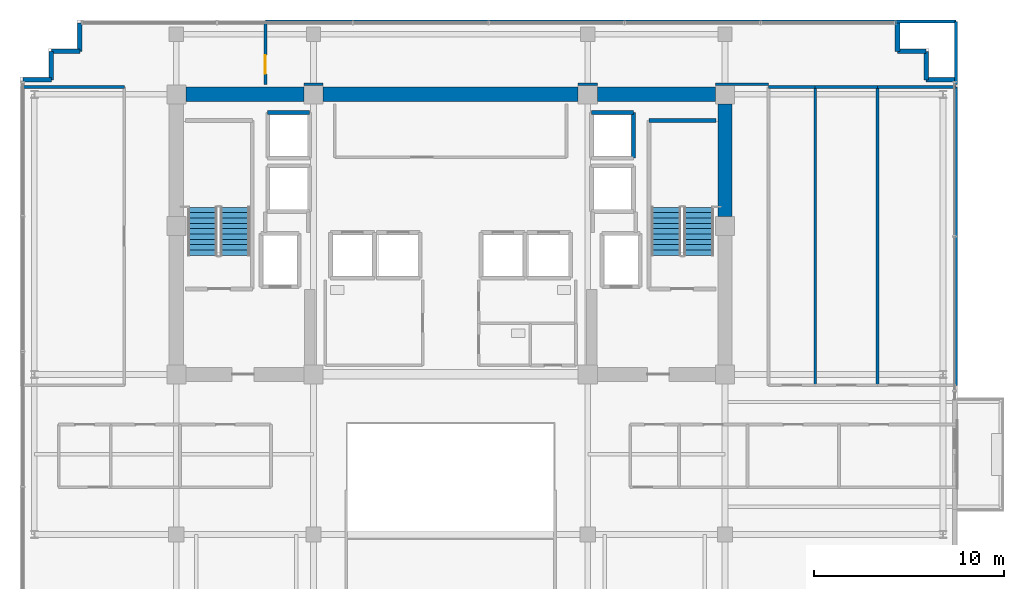
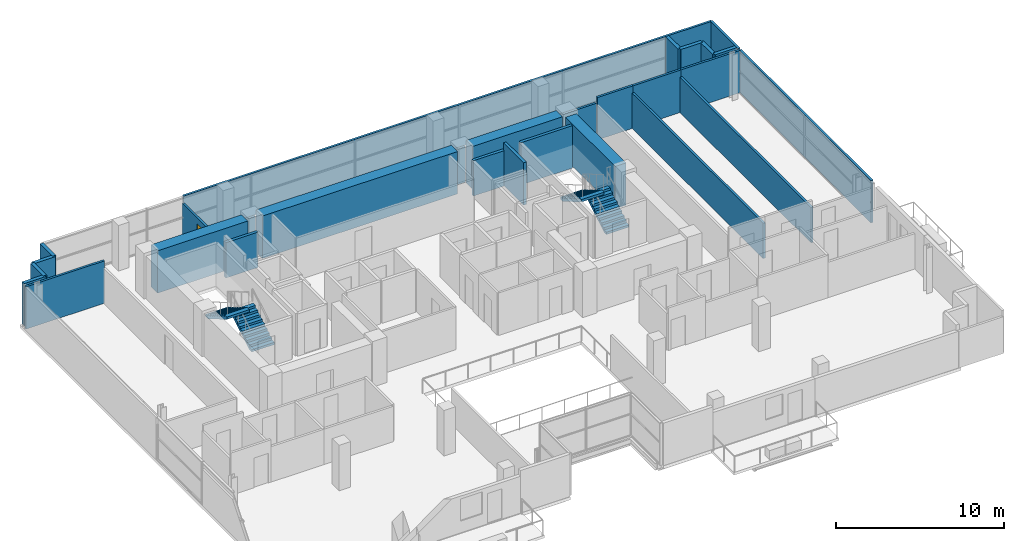
# One storey, part 18 of 21: 29 walls, 4 stair flights, 1 door, 1 opening, 2 elements without a shape of their own.
"""IFC4 building model written with IfcOpenShell, lengths in metres."""

import ifcopenshell
import ifcopenshell.guid

model = None  # the IFC model being written
_history = None  # IfcOwnerHistory: only IFC2X3 demands one
_inside = {}  # id of a spatial element -> (the spatial element, [elements in it])
_under = {}  # id of a project, library or spatial element -> (it, [spatial elements below it])
_declared = {}  # id of a project -> (the project, [libraries it declares])
_typed = {}  # id of a type object -> (the type object, [elements of that type])
_made_of = {}  # id of a material, layer set ... -> (it, [elements and type objects made of it])


def new_model(schema):
    """Start an empty IFC model of exactly this schema.

    Asked for "IFC4X3", IfcOpenShell would pick the latest addendum, in which some entities
    have other attributes; the version numbers below select the first issue.
    IFC2X3 requires an IfcOwnerHistory on every rooted entity: one is made here for all.
    """
    global model, _history
    if schema == "IFC4X3":
        model = ifcopenshell.file(schema_version=(4, 3, 0, 0))
    else:
        model = ifcopenshell.file(schema=schema)
    _inside.clear()
    _under.clear()
    _declared.clear()
    _typed.clear()
    _made_of.clear()
    _history = None
    if model.schema == "IFC2X3":
        org = make("IfcOrganization", Name="unknown")
        user = make(
            "IfcPersonAndOrganization",
            ThePerson=make("IfcPerson", FamilyName="unknown"),
            TheOrganization=org,
        )
        app = make(
            "IfcApplication",
            ApplicationDeveloper=org,
            Version="unknown",
            ApplicationFullName="unknown",
            ApplicationIdentifier="unknown",
        )
        _history = make(
            "IfcOwnerHistory",
            OwningUser=user,
            OwningApplication=app,
            ChangeAction="ADDED",
            CreationDate=0,
        )
    return model


def make(cls, **values):
    """One entity of the class cls with the attributes given. An attribute that is None is left unset."""
    return model.create_entity(
        cls, **{name: value for name, value in values.items() if value is not None}
    )


def rooted(cls, **values):
    """An entity with a GlobalId (a new one), such as an element, a storey or a relation."""
    return make(cls, GlobalId=ifcopenshell.guid.new(), OwnerHistory=_history, **values)


def si_unit(unit_type, name, prefix=None):
    """IfcSIUnit, for example si_unit("LENGTHUNIT", "METRE", prefix="MILLI")."""
    return make("IfcSIUnit", UnitType=unit_type, Prefix=prefix, Name=name)


def assignment(units):
    """IfcUnitAssignment: the units of a project."""
    return None if units is None else make("IfcUnitAssignment", Units=units)


def point(xyz):
    """IfcCartesianPoint."""
    return None if xyz is None else make("IfcCartesianPoint", Coordinates=xyz)


def direction(xyz):
    """IfcDirection."""
    return None if xyz is None else make("IfcDirection", DirectionRatios=xyz)


def frame(location, z_axis=None, x_axis=None):
    """IfcAxis2Placement3D, a coordinate frame: its origin and axes. An axis left out is left unset."""
    return make(
        "IfcAxis2Placement3D",
        Location=point(location),
        Axis=direction(z_axis),
        RefDirection=direction(x_axis),
    )


def frame_2d(location, x_axis=None):
    """IfcAxis2Placement2D, a coordinate frame in the plane: its origin and x axis."""
    return make(
        "IfcAxis2Placement2D", Location=point(location), RefDirection=direction(x_axis)
    )


def origin():
    """The frame at (0, 0, 0) with its axes left unset."""
    return frame((0.0, 0.0, 0.0))


def place(relative_to, where):
    """IfcLocalPlacement: puts the frame where relative to a parent placement (None: the world)."""
    return make(
        "IfcLocalPlacement", PlacementRelTo=relative_to, RelativePlacement=where
    )


def context(
    kind, dimensions, precision=None, world=None, true_north=None, identifier=None
):
    """IfcGeometricRepresentationContext, for example the 3D "Model" context."""
    return make(
        "IfcGeometricRepresentationContext",
        ContextIdentifier=identifier,
        ContextType=kind,
        CoordinateSpaceDimension=dimensions,
        Precision=precision,
        WorldCoordinateSystem=world,
        TrueNorth=true_north,
    )


def subcontext(parent, identifier, kind, view, scale=None):
    """IfcGeometricRepresentationSubContext, for example "Body" below "Model"."""
    return make(
        "IfcGeometricRepresentationSubContext",
        ContextIdentifier=identifier,
        ContextType=kind,
        ParentContext=parent,
        TargetScale=scale,
        TargetView=view,
    )


def project(units=None, contexts=None):
    """IfcProject with its units and contexts."""
    return rooted(
        "IfcProject",
        Name="project",
        RepresentationContexts=contexts,
        UnitsInContext=assignment(units),
    )


def spatial(cls, under=None, at=None, **own):
    """A site, building, storey or space (cls), placed at a placement, below another one or the project."""
    s = rooted(cls, ObjectPlacement=at, **own)
    if under is not None:
        _under.setdefault(under.id(), (under, []))[1].append(s)
    return s


def polyline(points):
    """IfcPolyline through the points."""
    return make("IfcPolyline", Points=[point(p) for p in points])


def profile(cls, at=None, kind="AREA", **sizes):
    """A parametric profile (cls). Its sizes go by their IFC names, for example OverallWidth=200.0."""
    return make(cls, ProfileType=kind, Position=at, **sizes)


def rectangle(**sizes):
    """IfcRectangleProfileDef."""
    return profile("IfcRectangleProfileDef", **sizes)


def outline(outer, holes=None, kind="AREA"):
    """IfcArbitraryClosedProfileDef: a profile drawn as a closed curve; with holes, ...WithVoids."""
    if holes is None:
        return make("IfcArbitraryClosedProfileDef", ProfileType=kind, OuterCurve=outer)
    return make(
        "IfcArbitraryProfileDefWithVoids",
        ProfileType=kind,
        OuterCurve=outer,
        InnerCurves=holes,
    )


def extrude(swept, where, along, depth):
    """IfcExtrudedAreaSolid: the profile swept, set in the frame where, extruded along a direction by depth."""
    return make(
        "IfcExtrudedAreaSolid",
        SweptArea=swept,
        Position=where,
        ExtrudedDirection=direction(along),
        Depth=depth,
    )


def shape(context_of_items, identifier, shape_type, items):
    """IfcShapeRepresentation: the items that make up one representation, for example the "Body"."""
    return make(
        "IfcShapeRepresentation",
        ContextOfItems=context_of_items,
        RepresentationIdentifier=identifier,
        RepresentationType=shape_type,
        Items=items,
    )


def source(mapping_origin, context_of_items, identifier, shape_type, items):
    """IfcRepresentationMap: a shape defined once, which mapped items show again and again."""
    return make(
        "IfcRepresentationMap",
        MappingOrigin=mapping_origin,
        MappedRepresentation=shape(context_of_items, identifier, shape_type, items),
    )


def transform(
    local_origin,
    x_axis=None,
    y_axis=None,
    z_axis=None,
    scale=None,
    scale2=None,
    scale3=None,
    uniform=True,
):
    """IfcCartesianTransformationOperator3D, or its non-uniform kind. x_axis, y_axis, z_axis: its Axis1, 2, 3."""
    if uniform:
        return make(
            "IfcCartesianTransformationOperator3D",
            Axis1=direction(x_axis),
            Axis2=direction(y_axis),
            LocalOrigin=point(local_origin),
            Scale=scale,
            Axis3=direction(z_axis),
        )
    return make(
        "IfcCartesianTransformationOperator3DnonUniform",
        Axis1=direction(x_axis),
        Axis2=direction(y_axis),
        LocalOrigin=point(local_origin),
        Scale=scale,
        Axis3=direction(z_axis),
        Scale2=scale2,
        Scale3=scale3,
    )


def mapped(mapping_source, mapping_target):
    """IfcMappedItem: shows the shape of a source again, moved by a transform."""
    return make(
        "IfcMappedItem", MappingSource=mapping_source, MappingTarget=mapping_target
    )


def material(Name=None, Category=None):
    """IfcMaterial."""
    return make("IfcMaterial", Name=Name, Category=Category)


def layer(
    of_material, thickness, ventilated=None, Name=None, Category=None, Priority=None
):
    """IfcMaterialLayer: one layer of a wall or slab, of a material (None: an air gap)."""
    return make(
        "IfcMaterialLayer",
        Material=of_material,
        LayerThickness=thickness,
        IsVentilated=ventilated,
        Name=Name,
        Category=Category,
        Priority=Priority,
    )


def layer_set(layers, Name=None):
    """IfcMaterialLayerSet."""
    return make("IfcMaterialLayerSet", MaterialLayers=layers, LayerSetName=Name)


def made_of(thing, what):
    """Note that an element or type object is made of a material, layer set ...; save() writes the relation."""
    if what is not None:
        _made_of.setdefault(what.id(), (what, []))[1].append(thing)
    return thing


def type_object(cls, material=None, **own):
    """A type object (cls), such as IfcWallType, which elements share."""
    return made_of(rooted(cls, **own), material)


def element(
    cls,
    number,
    at=None,
    inside=None,
    cuts=None,
    type_object=None,
    material=None,
    context=None,
    identifier="Body",
    shape_type=None,
    held_by="IfcProductDefinitionShape",
    body=None,
    shapes=None,
    **own,
):
    """One element of the class cls, such as IfcWall. Its Tag is "e" and its number.

    at: its placement. inside: the storey or other place that contains it. cuts: it is an
    opening in that element (IfcRelVoidsElement). A single representation is given by context,
    identifier, shape_type and body (its items); several are given by shapes. held_by: the class
    of the entity that holds the representations. save() writes the other relations.
    """
    e = rooted(cls, Tag="e%d" % number, ObjectPlacement=at, **own)
    if body is not None:
        shapes = [shape(context, identifier, shape_type, body)]
    if shapes is not None:
        e.Representation = make(held_by, Representations=shapes)
    if inside is not None:
        _inside.setdefault(inside.id(), (inside, []))[1].append(e)
    if cuts is not None:
        rooted(
            "IfcRelVoidsElement", RelatingBuildingElement=cuts, RelatedOpeningElement=e
        )
    if type_object is not None:
        _typed.setdefault(type_object.id(), (type_object, []))[1].append(e)
    return made_of(e, material)


def fill(opening, filler):
    """IfcRelFillsElement: the door or window that sits in an opening."""
    return rooted(
        "IfcRelFillsElement",
        RelatingOpeningElement=opening,
        RelatedBuildingElement=filler,
    )


def aggregate(whole, parts):
    """IfcRelAggregates: a whole, such as a stair, and the parts it consists of."""
    return rooted("IfcRelAggregates", RelatingObject=whole, RelatedObjects=parts)


def save(model, path):
    """Write the relations noted so far, then the file.

    IfcRelAggregates (storeys below a building ...), IfcRelContainedInSpatialStructure (elements
    in a storey), IfcRelDefinesByType, IfcRelAssociatesMaterial and IfcRelDeclares: one each for
    every whole, place, type object, material and project.
    """
    for whole, parts in _under.values():
        aggregate(whole, parts)
    for where, things in _inside.values():
        rooted(
            "IfcRelContainedInSpatialStructure",
            RelatedElements=things,
            RelatingStructure=where,
        )
    for kind, things in _typed.values():
        rooted("IfcRelDefinesByType", RelatedObjects=things, RelatingType=kind)
    for what, things in _made_of.values():
        rooted("IfcRelAssociatesMaterial", RelatedObjects=things, RelatingMaterial=what)
    for by, libraries in _declared.values():
        rooted("IfcRelDeclares", RelatingContext=by, RelatedDefinitions=libraries)
    model.write(path)


model = new_model("IFC4")

# Units and contexts
model_context = context("Model", 3, precision=1e-05, world=origin(), true_north=direction((0.0, 1.0)))
body_context = subcontext(model_context, "Body", "Model", "MODEL_VIEW")
ifc_project = project(units=[si_unit("LENGTHUNIT", "METRE"), si_unit("AREAUNIT", "SQUARE_METRE"), si_unit("VOLUMEUNIT", "CUBIC_METRE"), si_unit("PLANEANGLEUNIT", "RADIAN"), si_unit("MASSUNIT", "GRAM", prefix="KILO")], contexts=[model_context])

# Site, building, storey
site_placement = place(None, origin())
site = spatial("IfcSite", under=ifc_project, at=site_placement, CompositionType="ELEMENT")
building_placement = place(site_placement, origin())
building = spatial("IfcBuilding", under=site, at=building_placement, Name="Zarnakvel Exchange Tower", CompositionType="ELEMENT")
storey_placement = place(building_placement, frame((0.0, 0.0, 189.10009765625)))
storey = spatial("IfcBuildingStorey", under=building, at=storey_placement, Name="L53", CompositionType="ELEMENT", Elevation=189.10009765625)

# Walls
ifc_material_1 = material(Name="Concrete C60/75", Category="concrete")
ifc_layer_1 = layer(ifc_material_1, 0.75)
ifc_layer_set_1 = layer_set([ifc_layer_1], Name="Concrete C60/75")
wall_type_1 = type_object("IfcWallType", Name="CW-C3", PredefinedType="SHEAR", material=ifc_layer_set_1)
wall_1_placement = place(storey_placement, frame((-13.89990234375, 13.5, 0.0), z_axis=(0.0, 0.0, 1.0), x_axis=(1.0, 0.0, 0.0)))
element("IfcWall", 1, at=wall_1_placement, inside=storey, type_object=wall_type_1, Name="L53 Rear Core Shear Wall N1 (CW-C3)", PredefinedType="SHEAR", context=body_context, shape_type="SweptSolid", body=[
    extrude(rectangle(XDim=6.199951171875, YDim=0.75, at=frame_2d((3.10009765625, 0.0))), origin(), (0.0, 0.0, 1.0), 3.074951171875),
])
wall_2_placement = place(storey_placement, frame((-6.699951171875, 13.5, 0.0), z_axis=(0.0, 0.0, 1.0), x_axis=(1.0, 0.0, 0.0)))
element("IfcWall", 2, at=wall_2_placement, inside=storey, type_object=wall_type_1, Name="L53 Rear Core Shear Wall N2 (CW-C3)", PredefinedType="SHEAR", context=body_context, shape_type="SweptSolid", body=[
    extrude(rectangle(XDim=13.39990234375, YDim=0.75, at=frame_2d((6.699951171875, 0.0))), origin(), (0.0, 0.0, 1.0), 3.074951171875),
])
wall_3_placement = place(storey_placement, frame((7.699951171875, 13.5, 0.0), z_axis=(0.0, 0.0, 1.0), x_axis=(1.0, 0.0, 0.0)))
element("IfcWall", 3, at=wall_3_placement, inside=storey, type_object=wall_type_1, Name="L53 Rear Core Shear Wall N3 (CW-C3)", PredefinedType="SHEAR", context=body_context, shape_type="SweptSolid", body=[
    extrude(rectangle(XDim=6.199951171875, YDim=0.75, at=frame_2d((3.10009765625, 0.0))), origin(), (0.0, 0.0, 1.0), 3.074951171875),
])
wall_4_placement = place(storey_placement, frame((14.39990234375, 7.10009765625, 0.0), z_axis=(0.0, 0.0, 1.0), x_axis=(0.0, 1.0, 0.0)))
element("IfcWall", 4, at=wall_4_placement, inside=storey, type_object=wall_type_1, Name="L53 Rear Core Shear Wall E2 (CW-C3)", PredefinedType="SHEAR", context=body_context, shape_type="SweptSolid", body=[
    extrude(rectangle(XDim=5.89990234375, YDim=0.75, at=frame_2d((2.949951171875, 0.0))), origin(), (0.0, 0.0, 1.0), 3.074951171875),
])
ifc_material_2 = material(Name="Precast concrete C40/50", Category="concrete")
ifc_layer_2 = layer(ifc_material_2, 0.239990234375)
ifc_layer_set_2 = layer_set([ifc_layer_2], Name="Precast concrete C40/50")
wall_type_2 = type_object("IfcWallType", Name="EW-02", PredefinedType="SOLIDWALL", material=ifc_layer_set_2)
for number, where, z_axis, x_axis, name in (
    (5, (-20.9599609375, 14.260009765625, 0.0), (0.0, 0.0, 1.0), (-1.0, 0.0, 0.0), "L53 Exterior Precast Spandrel Wall EWC-L53-01 (EW-02)"),
    (6, (-20.9599609375, 15.760009765625, 0.0), (0.0, 0.0, 1.0), (0.0, -1.0, 0.0), "L53 Exterior Precast Spandrel Wall EWC-L53-02 (EW-02)"),
    (7, (-19.4599609375, 15.760009765625, 0.0), (0.0, 0.0, 1.0), (-1.0, 0.0, 0.0), "L53 Exterior Precast Spandrel Wall EWC-L53-03 (EW-02)"),
    (8, (-19.4599609375, 17.260009765625, 0.0), (0.0, 0.0, 1.0), (0.0, -1.0, 0.0), "L53 Exterior Precast Spandrel Wall EWC-L53-04 (EW-02)"),
    (9, (23.4599609375, 15.760009765625, 0.0), (0.0, 0.0, 1.0), (0.0, 1.0, 0.0), "L53 Exterior Precast Spandrel Wall EWC-L53-05 (EW-02)"),
    (10, (24.9599609375, 15.760009765625, 0.0), (0.0, 0.0, 1.0), (-1.0, 0.0, 0.0), "L53 Exterior Precast Spandrel Wall EWC-L53-06 (EW-02)"),
    (11, (24.9599609375, 14.260009765625, 0.0), (0.0, 0.0, 1.0), (0.0, 1.0, 0.0), "L53 Exterior Precast Spandrel Wall EWC-L53-07 (EW-02)"),
    (12, (26.4599609375, 14.260009765625, 0.0), (0.0, 0.0, 1.0), (-1.0, 0.0, 0.0), "L53 Exterior Precast Spandrel Wall EWC-L53-08 (EW-02)"),
):
    element("IfcWall", number, at=place(storey_placement, frame(where, z_axis=z_axis, x_axis=x_axis)), inside=storey, type_object=wall_type_2, Name=name, PredefinedType="SOLIDWALL", context=body_context, shape_type="SweptSolid", body=[
        extrude(rectangle(XDim=1.5, YDim=0.239990234375, at=frame_2d((0.75, 0.0))), origin(), (0.0, 0.0, 1.0), 3.074951171875),
    ])
ifc_material_3 = material(Name="Fire-Rated Gypsum Stud Partition", Category="gypsum")
ifc_layer_3 = layer(ifc_material_3, 0.14990234375)
ifc_layer_set_3 = layer_set([ifc_layer_3], Name="Fire-Rated Gypsum Stud Partition")
wall_type_3 = type_object("IfcWallType", Name="PT-01", PredefinedType="PARTITIONING", material=ifc_layer_set_3)
wall_5_placement = place(storey_placement, frame((-22.530029296875, 13.8798828125, 0.0), z_axis=(0.0, 0.0, 1.0), x_axis=(1.0, 0.0, 0.0)))
element("IfcWall", 13, at=wall_5_placement, inside=storey, type_object=wall_type_3, Name="L53 Partition Wall PWALL-L53-055 (PT-01)", PredefinedType="PARTITIONING", context=body_context, shape_type="SweptSolid", body=[
    extrude(rectangle(XDim=5.400146484375, YDim=0.14990234375, at=frame_2d((2.7001953125, 0.0))), origin(), (0.0, 0.0, 1.0), 3.074951171875),
])
wall_6_placement = place(storey_placement, frame((16.68994140625, 13.8798828125, 0.0), z_axis=(0.0, 0.0, 1.0), x_axis=(1.0, 0.0, 0.0)))
element("IfcWall", 14, at=wall_6_placement, inside=storey, type_object=wall_type_3, Name="L53 Partition Wall PWALL-L53-059 (PT-01)", PredefinedType="PARTITIONING", context=body_context, shape_type="SweptSolid", body=[
    extrude(rectangle(XDim=2.447998046875, YDim=0.14990234375, at=frame_2d((1.22412109375, 0.0))), origin(), (0.0, 0.0, 1.0), 3.074951171875),
])
wall_7_placement = place(storey_placement, frame((19.137939453125, 13.8798828125, 0.0), z_axis=(0.0, 0.0, 1.0), x_axis=(0.0, -1.0, 0.0)))
element("IfcWall", 15, at=wall_7_placement, inside=storey, type_object=wall_type_3, Name="L53 Partition Wall PWALL-L53-061 (PT-01)", PredefinedType="PARTITIONING", context=body_context, shape_type="SweptSolid", body=[
    extrude(rectangle(XDim=15.64990234375, YDim=0.14990234375, at=frame_2d((7.824951171875, 0.0))), origin(), (0.0, 0.0, 1.0), 2.56494140625),
])
wall_8_placement = place(storey_placement, frame((19.137939453125, 13.8798828125, 0.0), z_axis=(0.0, 0.0, 1.0), x_axis=(1.0, 0.0, 0.0)))
element("IfcWall", 16, at=wall_8_placement, inside=storey, type_object=wall_type_3, Name="L53 Partition Wall PWALL-L53-063 (PT-01)", PredefinedType="PARTITIONING", context=body_context, shape_type="SweptSolid", body=[
    extrude(rectangle(XDim=3.280029296875, YDim=0.14990234375, at=frame_2d((1.64013671875, 0.0))), origin(), (0.0, 0.0, 1.0), 3.074951171875),
])
wall_9_placement = place(storey_placement, frame((22.41796875, 13.8798828125, 0.0), z_axis=(0.0, 0.0, 1.0), x_axis=(0.0, -1.0, 0.0)))
element("IfcWall", 17, at=wall_9_placement, inside=storey, type_object=wall_type_3, Name="L53 Partition Wall PWALL-L53-064 (PT-01)", PredefinedType="PARTITIONING", context=body_context, shape_type="SweptSolid", body=[
    extrude(rectangle(XDim=15.64990234375, YDim=0.14990234375, at=frame_2d((7.824951171875, 0.0))), origin(), (0.0, 0.0, 1.0), 2.56494140625),
])
wall_10_placement = place(storey_placement, frame((22.41796875, 13.8798828125, 0.0), z_axis=(0.0, 0.0, 1.0), x_axis=(1.0, 0.0, 0.0)))
element("IfcWall", 18, at=wall_10_placement, inside=storey, type_object=wall_type_3, Name="L53 Partition Wall PWALL-L53-066 (PT-01)", PredefinedType="PARTITIONING", context=body_context, shape_type="SweptSolid", body=[
    extrude(rectangle(XDim=4.112060546875, YDim=0.14990234375, at=frame_2d((2.05615234375, 0.0))), origin(), (0.0, 0.0, 1.0), 3.074951171875),
])
wall_11_placement = place(storey_placement, frame((26.530029296875, 13.8798828125, 0.0), z_axis=(0.0, 0.0, 1.0), x_axis=(0.0, -1.0, 0.0)))
element("IfcWall", 19, at=wall_11_placement, inside=storey, type_object=wall_type_3, Name="L53 Partition Wall PWALL-L53-067 (PT-01)", PredefinedType="PARTITIONING", context=body_context, shape_type="SweptSolid", body=[
    extrude(rectangle(XDim=15.64990234375, YDim=0.14990234375, at=frame_2d((7.824951171875, 0.0))), origin(), (0.0, 0.0, 1.0), 3.074951171875),
])
for number, where, z_axis, x_axis, name in (
    (20, (-6.699951171875, 14.030029296875, 0.0), (0.0, 0.0, 1.0), (-1.0, 0.0, 0.0), "L53 Partition Wall PWALL-L53-068 (PT-01)"),
    (21, (7.699951171875, 14.030029296875, 0.0), (0.0, 0.0, 1.0), (-1.0, 0.0, 0.0), "L53 Partition Wall PWALL-L53-069 (PT-01)"),
):
    element("IfcWall", number, at=place(storey_placement, frame(where, z_axis=z_axis, x_axis=x_axis)), inside=storey, type_object=wall_type_3, Name=name, PredefinedType="PARTITIONING", context=body_context, shape_type="SweptSolid", body=[
        extrude(rectangle(XDim=1.0, YDim=0.14990234375, at=frame_2d((0.5, 0.0))), origin(), (0.0, 0.0, 1.0), 2.56494140625),
    ])
wall_12_placement = place(storey_placement, frame((16.68994140625, 14.030029296875, 0.0), z_axis=(0.0, 0.0, 1.0), x_axis=(-1.0, 0.0, 0.0)))
element("IfcWall", 22, at=wall_12_placement, inside=storey, type_object=wall_type_3, Name="L53 Partition Wall PWALL-L53-070 (PT-01)", PredefinedType="PARTITIONING", context=body_context, shape_type="SweptSolid", body=[
    extrude(rectangle(XDim=2.7900390625, YDim=0.14990234375, at=frame_2d((1.39501953125, 0.0))), origin(), (0.0, 0.0, 1.0), 2.56494140625),
])
wall_13_placement = place(storey_placement, frame((-9.719970703125, 17.330078125, 0.0), z_axis=(0.0, 0.0, 1.0), x_axis=(1.0, 0.0, 0.0)))
element("IfcWall", 23, at=wall_13_placement, inside=storey, type_object=wall_type_3, Name="L53 Partition Wall PWALL-L53-071 (PT-01)", PredefinedType="PARTITIONING", context=body_context, shape_type="SweptSolid", body=[
    extrude(rectangle(XDim=36.25, YDim=0.14990234375, at=frame_2d((18.125, 0.0))), origin(), (0.0, 0.0, 1.0), 3.074951171875),
])

# Wall, opening, door
wall_14_placement = place(storey_placement, frame((-9.719970703125, 14.030029296875, 0.0), z_axis=(0.0, 0.0, 1.0), x_axis=(0.0, 1.0, 0.0)))
wall_14 = element("IfcWall", 24, at=wall_14_placement, inside=storey, type_object=wall_type_3, Name="L53 Partition Wall PWALL-L53-072 (PT-01)", PredefinedType="PARTITIONING", context=body_context, shape_type="SweptSolid", body=[
    extrude(rectangle(XDim=3.300048828125, YDim=0.14990234375, at=frame_2d((1.64990234375, 0.0))), origin(), (0.0, 0.0, 1.0), 2.56494140625),
])
opening_placement = place(wall_14_placement, frame((0.550048828125, 0.0, 0.0)))
opening = element("IfcOpeningElement", 25, at=opening_placement, cuts=wall_14, Name="Opening D-L53-23", PredefinedType="OPENING", context=body_context, shape_type="SweptSolid", body=[
    extrude(rectangle(XDim=0.97998046875, YDim=2.14990234375, at=frame_2d((0.489990234375, 1.074951171875))), frame((0.0, 0.0849609375, 0.0), z_axis=(0.0, -1.0, 0.0), x_axis=(1.0, 0.0, 0.0)), (0.0, 0.0, 1.0), 0.169921875),
])
ifc_material_4 = material(Name="Timber Acoustic Veneer", Category="wood")
door_type = type_object("IfcDoorType", Name="DT-05", OperationType="NOTDEFINED", PredefinedType="DOOR", material=ifc_material_4)
shared_shape = source(origin(), body_context, "Body", "SweptSolid", [
    extrude(rectangle(XDim=0.97998046875, YDim=2.14990234375, at=frame_2d((0.489990234375, 1.074951171875))), frame((0.0, 0.02490234375, 0.0), z_axis=(0.0, -1.0, 0.0), x_axis=(1.0, 0.0, 0.0)), (0.0, 0.0, 1.0), 0.050048828125),
])
door_placement = place(opening_placement, origin())
door = element("IfcDoor", 26, at=door_placement, inside=storey, type_object=door_type, Name="L53 Risk Analytics Suite Door D-L53-23", OperationType="SINGLE_SWING_LEFT", OverallHeight=2.14990234375, OverallWidth=0.97998046875, PredefinedType="DOOR", context=body_context, shape_type="MappedRepresentation", body=[
    mapped(shared_shape, transform((0.0, 0.0, 0.0), x_axis=(1.0, 0.0, 0.0), y_axis=(0.0, 1.0, 0.0), z_axis=(0.0, 0.0, 1.0), scale=1.0)),
])
fill(opening, door)

# Walls
wall_15_placement = place(storey_placement, frame((26.530029296875, 17.330078125, 0.0), z_axis=(0.0, 0.0, 1.0), x_axis=(0.0, -1.0, 0.0)))
element("IfcWall", 27, at=wall_15_placement, inside=storey, type_object=wall_type_3, Name="L53 Partition Wall PWALL-L53-073 (PT-01)", PredefinedType="PARTITIONING", context=body_context, shape_type="SweptSolid", body=[
    extrude(rectangle(XDim=3.300048828125, YDim=0.14990234375, at=frame_2d((1.64990234375, 0.0))), origin(), (0.0, 0.0, 1.0), 3.074951171875),
])
ifc_material_5 = material(Name="Concrete C40/50", Category="concrete")
ifc_layer_4 = layer(ifc_material_5, 0.199951171875)
ifc_layer_set_4 = layer_set([ifc_layer_4], Name="Concrete C40/50")
wall_type_4 = type_object("IfcWallType", Name="SW-01", PredefinedType="SOLIDWALL", material=ifc_layer_set_4)
for number, where, z_axis, x_axis, name in (
    (28, (-9.60009765625, 12.550048828125, 0.0), (0.0, 0.0, 1.0), (1.0, 0.0, 0.0), "L53 PL-10 Hoistway Wall North"),
    (29, (7.39990234375, 12.550048828125, 0.0), (0.0, 0.0, 1.0), (1.0, 0.0, 0.0), "L53 PL-12 Hoistway Wall North"),
):
    element("IfcWall", number, at=place(storey_placement, frame(where, z_axis=z_axis, x_axis=x_axis)), inside=storey, type_object=wall_type_4, Name=name, PredefinedType="SOLIDWALL", context=body_context, shape_type="SweptSolid", body=[
        extrude(rectangle(XDim=2.2001953125, YDim=0.199951171875, at=frame_2d((1.10009765625, 0.0))), origin(), (0.0, 0.0, 1.0), 2.56494140625),
    ])
wall_16_placement = place(storey_placement, frame((9.60009765625, 12.550048828125, 0.0), z_axis=(0.0, 0.0, 1.0), x_axis=(0.0, -1.0, 0.0)))
element("IfcWall", 30, at=wall_16_placement, inside=storey, type_object=wall_type_4, Name="L53 PL-12 Hoistway Wall East", PredefinedType="SOLIDWALL", context=body_context, shape_type="SweptSolid", body=[
    extrude(rectangle(XDim=2.400146484375, YDim=0.199951171875, at=frame_2d((1.2001953125, 0.0))), origin(), (0.0, 0.0, 1.0), 3.074951171875),
])
ifc_layer_5 = layer(ifc_material_5, 0.199951171875)
ifc_layer_set_5 = layer_set([ifc_layer_5], Name="Concrete C40/50")
wall_type_5 = type_object("IfcWallType", Name="SW-02", PredefinedType="SOLIDWALL", material=ifc_layer_set_5)
wall_17_placement = place(storey_placement, frame((10.409912109375, 12.1298828125, 0.0), z_axis=(0.0, 0.0, 1.0), x_axis=(1.0, 0.0, 0.0)))
element("IfcWall", 31, at=wall_17_placement, inside=storey, type_object=wall_type_5, Name="L53 Stairwell Core Wall PWALL-L53-005 (SW-02)", PredefinedType="SOLIDWALL", context=body_context, shape_type="SweptSolid", body=[
    extrude(rectangle(XDim=3.52001953125, YDim=0.199951171875, at=frame_2d((1.760009765625, 0.0))), origin(), (0.0, 0.0, 1.0), 3.074951171875),
])

# Stair, stair flights
stair_type = type_object("IfcStairType", Name="STR-01", PredefinedType="HALF_TURN_STAIR", material=ifc_material_5)
stair_1_placement = place(storey_placement, origin())
stair_1 = element("IfcStair", 32, at=stair_1_placement, inside=storey, type_object=stair_type, Name="L53 Protected Core Exit Stair ST-01", PredefinedType="HALF_TURN_STAIR")
stair_flight_type = type_object("IfcStairFlightType", Name="FLT-01", PredefinedType="STRAIGHT", material=ifc_material_5)
stair_flight_1_placement = place(storey_placement, frame((-11.31494140625, 5.050048828125, 0.0), z_axis=(0.0, 0.0, 1.0), x_axis=(0.0, 1.0, 0.0)))
stair_flight_1 = element("IfcStairFlight", 33, at=stair_flight_1_placement, type_object=stair_flight_type, Name="ST-01 flight 1", NumberOfRisers=10, NumberOfTreads=9, PredefinedType="STRAIGHT", RiserHeight=0.165, TreadLength=0.28, context=body_context, shape_type="SweptSolid", body=[
    extrude(outline(polyline([(0.0, 0.0), (0.0, 0.1650390625), (0.280029296875, 0.1650390625), (0.280029296875, 0.330078125), (0.56005859375, 0.330078125), (0.56005859375, 0.4951171875), (0.840087890625, 0.4951171875), (0.840087890625, 0.659912109375), (1.1201171875, 0.659912109375), (1.1201171875, 0.824951171875), (1.39990234375, 0.824951171875), (1.39990234375, 0.989990234375), (1.679931640625, 0.989990234375), (1.679931640625, 1.155029296875), (1.9599609375, 1.155029296875), (1.9599609375, 1.320068359375), (2.239990234375, 1.320068359375), (2.239990234375, 1.485107421875), (2.52001953125, 1.485107421875), (2.52001953125, 1.64990234375), (2.52001953125, 1.31103515625), (0.295166015625, 0.0), (0.0, 0.0)])), frame((0.0, 0.77490234375, 0.0), z_axis=(0.0, -1.0, 0.0), x_axis=(1.0, 0.0, 0.0)), (0.0, 0.0, 1.0), 1.550048828125),
])
stair_flight_2_placement = place(storey_placement, frame((-13.02490234375, 7.570068359375, 1.64990234375), z_axis=(0.0, 0.0, 1.0), x_axis=(0.0, -1.0, 0.0)))
stair_flight_2 = element("IfcStairFlight", 34, at=stair_flight_2_placement, type_object=stair_flight_type, Name="ST-01 flight 2", NumberOfRisers=10, NumberOfTreads=9, PredefinedType="STRAIGHT", RiserHeight=0.165, TreadLength=0.28, context=body_context, shape_type="SweptSolid", body=[
    extrude(outline(polyline([(0.0, 0.0), (0.0, 0.1650390625), (0.280029296875, 0.1650390625), (0.280029296875, 0.330078125), (0.56005859375, 0.330078125), (0.56005859375, 0.4951171875), (0.840087890625, 0.4951171875), (0.840087890625, 0.659912109375), (1.1201171875, 0.659912109375), (1.1201171875, 0.824951171875), (1.39990234375, 0.824951171875), (1.39990234375, 0.989990234375), (1.679931640625, 0.989990234375), (1.679931640625, 1.155029296875), (1.9599609375, 1.155029296875), (1.9599609375, 1.320068359375), (2.239990234375, 1.320068359375), (2.239990234375, 1.485107421875), (2.52001953125, 1.485107421875), (2.52001953125, 1.64990234375), (2.52001953125, 1.31103515625), (0.295166015625, 0.0), (0.0, 0.0)])), frame((0.0, 0.77490234375, 0.0), z_axis=(0.0, -1.0, 0.0), x_axis=(1.0, 0.0, 0.0)), (0.0, 0.0, 1.0), 1.550048828125),
])
aggregate(stair_1, [stair_flight_1, stair_flight_2])

stair_2_placement = place(storey_placement, origin())
stair_2 = element("IfcStair", 35, at=stair_2_placement, inside=storey, type_object=stair_type, Name="L53 Protected Core Exit Stair ST-02", PredefinedType="HALF_TURN_STAIR")
stair_flight_3_placement = place(storey_placement, frame((13.02490234375, 5.050048828125, 0.0), z_axis=(0.0, 0.0, 1.0), x_axis=(0.0, 1.0, 0.0)))
stair_flight_3 = element("IfcStairFlight", 36, at=stair_flight_3_placement, type_object=stair_flight_type, Name="ST-02 flight 1", NumberOfRisers=10, NumberOfTreads=9, PredefinedType="STRAIGHT", RiserHeight=0.165, TreadLength=0.28, context=body_context, shape_type="SweptSolid", body=[
    extrude(outline(polyline([(0.0, 0.0), (0.0, 0.1650390625), (0.280029296875, 0.1650390625), (0.280029296875, 0.330078125), (0.56005859375, 0.330078125), (0.56005859375, 0.4951171875), (0.840087890625, 0.4951171875), (0.840087890625, 0.659912109375), (1.1201171875, 0.659912109375), (1.1201171875, 0.824951171875), (1.39990234375, 0.824951171875), (1.39990234375, 0.989990234375), (1.679931640625, 0.989990234375), (1.679931640625, 1.155029296875), (1.9599609375, 1.155029296875), (1.9599609375, 1.320068359375), (2.239990234375, 1.320068359375), (2.239990234375, 1.485107421875), (2.52001953125, 1.485107421875), (2.52001953125, 1.64990234375), (2.52001953125, 1.31103515625), (0.295166015625, 0.0), (0.0, 0.0)])), frame((0.0, 0.77490234375, 0.0), z_axis=(0.0, -1.0, 0.0), x_axis=(1.0, 0.0, 0.0)), (0.0, 0.0, 1.0), 1.550048828125),
])
stair_flight_4_placement = place(storey_placement, frame((11.31494140625, 7.570068359375, 1.64990234375), z_axis=(0.0, 0.0, 1.0), x_axis=(0.0, -1.0, 0.0)))
stair_flight_4 = element("IfcStairFlight", 37, at=stair_flight_4_placement, type_object=stair_flight_type, Name="ST-02 flight 2", NumberOfRisers=10, NumberOfTreads=9, PredefinedType="STRAIGHT", RiserHeight=0.165, TreadLength=0.28, context=body_context, shape_type="SweptSolid", body=[
    extrude(outline(polyline([(0.0, 0.0), (0.0, 0.1650390625), (0.280029296875, 0.1650390625), (0.280029296875, 0.330078125), (0.56005859375, 0.330078125), (0.56005859375, 0.4951171875), (0.840087890625, 0.4951171875), (0.840087890625, 0.659912109375), (1.1201171875, 0.659912109375), (1.1201171875, 0.824951171875), (1.39990234375, 0.824951171875), (1.39990234375, 0.989990234375), (1.679931640625, 0.989990234375), (1.679931640625, 1.155029296875), (1.9599609375, 1.155029296875), (1.9599609375, 1.320068359375), (2.239990234375, 1.320068359375), (2.239990234375, 1.485107421875), (2.52001953125, 1.485107421875), (2.52001953125, 1.64990234375), (2.52001953125, 1.31103515625), (0.295166015625, 0.0), (0.0, 0.0)])), frame((0.0, 0.77490234375, 0.0), z_axis=(0.0, -1.0, 0.0), x_axis=(1.0, 0.0, 0.0)), (0.0, 0.0, 1.0), 1.550048828125),
])
aggregate(stair_2, [stair_flight_3, stair_flight_4])

save(model, "model.ifc")
